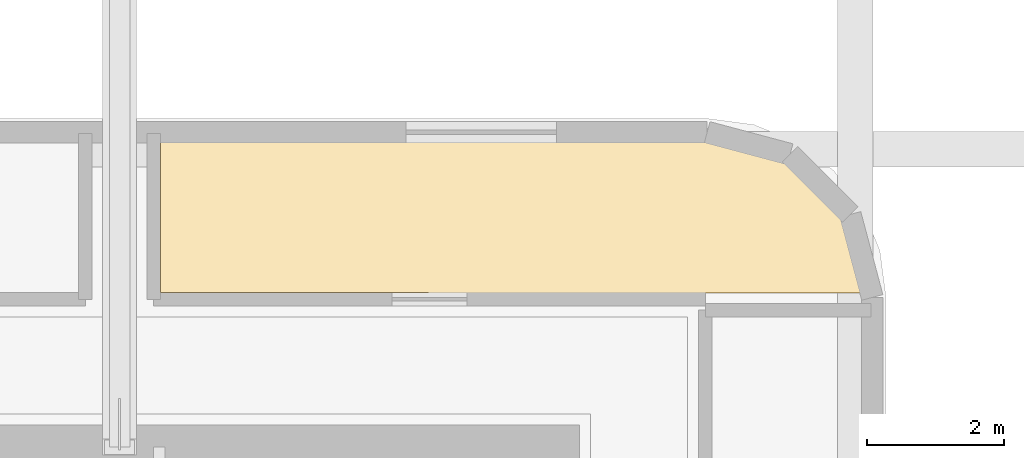
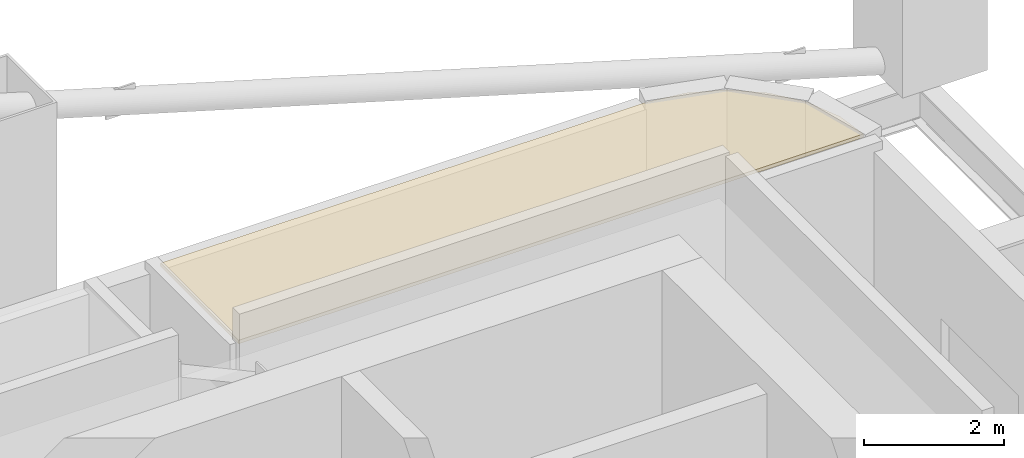
# One storey, part 9 of 9: 1 covering.
"""IFC4 building model written with IfcOpenShell, lengths in metres."""

import ifcopenshell
import ifcopenshell.guid

model = None  # the IFC model being written
_history = None  # IfcOwnerHistory: only IFC2X3 demands one
_inside = {}  # id of a spatial element -> (the spatial element, [elements in it])
_under = {}  # id of a project, library or spatial element -> (it, [spatial elements below it])
_declared = {}  # id of a project -> (the project, [libraries it declares])
_typed = {}  # id of a type object -> (the type object, [elements of that type])
_made_of = {}  # id of a material, layer set ... -> (it, [elements and type objects made of it])


def new_model(schema):
    """Start an empty IFC model of exactly this schema.

    Asked for "IFC4X3", IfcOpenShell would pick the latest addendum, in which some entities
    have other attributes; the version numbers below select the first issue.
    IFC2X3 requires an IfcOwnerHistory on every rooted entity: one is made here for all.
    """
    global model, _history
    if schema == "IFC4X3":
        model = ifcopenshell.file(schema_version=(4, 3, 0, 0))
    else:
        model = ifcopenshell.file(schema=schema)
    _inside.clear()
    _under.clear()
    _declared.clear()
    _typed.clear()
    _made_of.clear()
    _history = None
    if model.schema == "IFC2X3":
        org = make("IfcOrganization", Name="unknown")
        user = make(
            "IfcPersonAndOrganization",
            ThePerson=make("IfcPerson", FamilyName="unknown"),
            TheOrganization=org,
        )
        app = make(
            "IfcApplication",
            ApplicationDeveloper=org,
            Version="unknown",
            ApplicationFullName="unknown",
            ApplicationIdentifier="unknown",
        )
        _history = make(
            "IfcOwnerHistory",
            OwningUser=user,
            OwningApplication=app,
            ChangeAction="ADDED",
            CreationDate=0,
        )
    return model


def make(cls, **values):
    """One entity of the class cls with the attributes given. An attribute that is None is left unset."""
    return model.create_entity(
        cls, **{name: value for name, value in values.items() if value is not None}
    )


def rooted(cls, **values):
    """An entity with a GlobalId (a new one), such as an element, a storey or a relation."""
    return make(cls, GlobalId=ifcopenshell.guid.new(), OwnerHistory=_history, **values)


def si_unit(unit_type, name, prefix=None):
    """IfcSIUnit, for example si_unit("LENGTHUNIT", "METRE", prefix="MILLI")."""
    return make("IfcSIUnit", UnitType=unit_type, Prefix=prefix, Name=name)


def assignment(units):
    """IfcUnitAssignment: the units of a project."""
    return None if units is None else make("IfcUnitAssignment", Units=units)


def point(xyz):
    """IfcCartesianPoint."""
    return None if xyz is None else make("IfcCartesianPoint", Coordinates=xyz)


def direction(xyz):
    """IfcDirection."""
    return None if xyz is None else make("IfcDirection", DirectionRatios=xyz)


def frame(location, z_axis=None, x_axis=None):
    """IfcAxis2Placement3D, a coordinate frame: its origin and axes. An axis left out is left unset."""
    return make(
        "IfcAxis2Placement3D",
        Location=point(location),
        Axis=direction(z_axis),
        RefDirection=direction(x_axis),
    )


def origin():
    """The frame at (0, 0, 0) with its axes left unset."""
    return frame((0.0, 0.0, 0.0))


def place(relative_to, where):
    """IfcLocalPlacement: puts the frame where relative to a parent placement (None: the world)."""
    return make(
        "IfcLocalPlacement", PlacementRelTo=relative_to, RelativePlacement=where
    )


def context(
    kind, dimensions, precision=None, world=None, true_north=None, identifier=None
):
    """IfcGeometricRepresentationContext, for example the 3D "Model" context."""
    return make(
        "IfcGeometricRepresentationContext",
        ContextIdentifier=identifier,
        ContextType=kind,
        CoordinateSpaceDimension=dimensions,
        Precision=precision,
        WorldCoordinateSystem=world,
        TrueNorth=true_north,
    )


def subcontext(parent, identifier, kind, view, scale=None):
    """IfcGeometricRepresentationSubContext, for example "Body" below "Model"."""
    return make(
        "IfcGeometricRepresentationSubContext",
        ContextIdentifier=identifier,
        ContextType=kind,
        ParentContext=parent,
        TargetScale=scale,
        TargetView=view,
    )


def project(units=None, contexts=None):
    """IfcProject with its units and contexts."""
    return rooted(
        "IfcProject",
        Name="project",
        RepresentationContexts=contexts,
        UnitsInContext=assignment(units),
    )


def spatial(cls, under=None, at=None, **own):
    """A site, building, storey or space (cls), placed at a placement, below another one or the project."""
    s = rooted(cls, ObjectPlacement=at, **own)
    if under is not None:
        _under.setdefault(under.id(), (under, []))[1].append(s)
    return s


def polyline(points):
    """IfcPolyline through the points."""
    return make("IfcPolyline", Points=[point(p) for p in points])


def outline(outer, holes=None, kind="AREA"):
    """IfcArbitraryClosedProfileDef: a profile drawn as a closed curve; with holes, ...WithVoids."""
    if holes is None:
        return make("IfcArbitraryClosedProfileDef", ProfileType=kind, OuterCurve=outer)
    return make(
        "IfcArbitraryProfileDefWithVoids",
        ProfileType=kind,
        OuterCurve=outer,
        InnerCurves=holes,
    )


def extrude(swept, where, along, depth):
    """IfcExtrudedAreaSolid: the profile swept, set in the frame where, extruded along a direction by depth."""
    return make(
        "IfcExtrudedAreaSolid",
        SweptArea=swept,
        Position=where,
        ExtrudedDirection=direction(along),
        Depth=depth,
    )


def shape(context_of_items, identifier, shape_type, items):
    """IfcShapeRepresentation: the items that make up one representation, for example the "Body"."""
    return make(
        "IfcShapeRepresentation",
        ContextOfItems=context_of_items,
        RepresentationIdentifier=identifier,
        RepresentationType=shape_type,
        Items=items,
    )


def material(Name=None, Category=None):
    """IfcMaterial."""
    return make("IfcMaterial", Name=Name, Category=Category)


def layer(
    of_material, thickness, ventilated=None, Name=None, Category=None, Priority=None
):
    """IfcMaterialLayer: one layer of a wall or slab, of a material (None: an air gap)."""
    return make(
        "IfcMaterialLayer",
        Material=of_material,
        LayerThickness=thickness,
        IsVentilated=ventilated,
        Name=Name,
        Category=Category,
        Priority=Priority,
    )


def layer_set(layers, Name=None):
    """IfcMaterialLayerSet."""
    return make("IfcMaterialLayerSet", MaterialLayers=layers, LayerSetName=Name)


def made_of(thing, what):
    """Note that an element or type object is made of a material, layer set ...; save() writes the relation."""
    if what is not None:
        _made_of.setdefault(what.id(), (what, []))[1].append(thing)
    return thing


def type_object(cls, material=None, **own):
    """A type object (cls), such as IfcWallType, which elements share."""
    return made_of(rooted(cls, **own), material)


def element(
    cls,
    number,
    at=None,
    inside=None,
    cuts=None,
    type_object=None,
    material=None,
    context=None,
    identifier="Body",
    shape_type=None,
    held_by="IfcProductDefinitionShape",
    body=None,
    shapes=None,
    **own,
):
    """One element of the class cls, such as IfcWall. Its Tag is "e" and its number.

    at: its placement. inside: the storey or other place that contains it. cuts: it is an
    opening in that element (IfcRelVoidsElement). A single representation is given by context,
    identifier, shape_type and body (its items); several are given by shapes. held_by: the class
    of the entity that holds the representations. save() writes the other relations.
    """
    e = rooted(cls, Tag="e%d" % number, ObjectPlacement=at, **own)
    if body is not None:
        shapes = [shape(context, identifier, shape_type, body)]
    if shapes is not None:
        e.Representation = make(held_by, Representations=shapes)
    if inside is not None:
        _inside.setdefault(inside.id(), (inside, []))[1].append(e)
    if cuts is not None:
        rooted(
            "IfcRelVoidsElement", RelatingBuildingElement=cuts, RelatedOpeningElement=e
        )
    if type_object is not None:
        _typed.setdefault(type_object.id(), (type_object, []))[1].append(e)
    return made_of(e, material)


def aggregate(whole, parts):
    """IfcRelAggregates: a whole, such as a stair, and the parts it consists of."""
    return rooted("IfcRelAggregates", RelatingObject=whole, RelatedObjects=parts)


def save(model, path):
    """Write the relations noted so far, then the file.

    IfcRelAggregates (storeys below a building ...), IfcRelContainedInSpatialStructure (elements
    in a storey), IfcRelDefinesByType, IfcRelAssociatesMaterial and IfcRelDeclares: one each for
    every whole, place, type object, material and project.
    """
    for whole, parts in _under.values():
        aggregate(whole, parts)
    for where, things in _inside.values():
        rooted(
            "IfcRelContainedInSpatialStructure",
            RelatedElements=things,
            RelatingStructure=where,
        )
    for kind, things in _typed.values():
        rooted("IfcRelDefinesByType", RelatedObjects=things, RelatingType=kind)
    for what, things in _made_of.values():
        rooted("IfcRelAssociatesMaterial", RelatedObjects=things, RelatingMaterial=what)
    for by, libraries in _declared.values():
        rooted("IfcRelDeclares", RelatingContext=by, RelatedDefinitions=libraries)
    model.write(path)


model = new_model("IFC4")

# Units and contexts
model_context = context("Model", 3, precision=1e-05, world=origin(), true_north=direction((0.0, 1.0)))
body_context = subcontext(model_context, "Body", "Model", "MODEL_VIEW")
ifc_project = project(units=[si_unit("LENGTHUNIT", "METRE"), si_unit("AREAUNIT", "SQUARE_METRE"), si_unit("VOLUMEUNIT", "CUBIC_METRE"), si_unit("PLANEANGLEUNIT", "RADIAN"), si_unit("MASSUNIT", "GRAM", prefix="KILO")], contexts=[model_context])

# Site, building, storey
site_placement = place(None, origin())
site = spatial("IfcSite", under=ifc_project, at=site_placement, CompositionType="ELEMENT")
building_placement = place(site_placement, origin())
building = spatial("IfcBuilding", under=site, at=building_placement, Name="Punatoya Terracotta Tower", CompositionType="ELEMENT")
storey_placement = place(building_placement, frame((0.0, 0.0, 130.199951171875)))
storey = spatial("IfcBuildingStorey", under=building, at=storey_placement, Name="L30", CompositionType="ELEMENT", Elevation=130.199951171875)

# Covering
ifc_material = material(Name="Acoustic Mineral Fibre Ceiling")
ifc_layer = layer(ifc_material, 0.06005859375)
ifc_layer_set = layer_set([ifc_layer], Name="Acoustic Mineral Fibre Ceiling")
covering_type = type_object("IfcCoveringType", Name="COV-CEIL-60", PredefinedType="CEILING", material=ifc_layer_set)
covering_placement = place(storey_placement, frame((0.0, 0.0, 3.8701171875)))
element("IfcCovering", 1, at=covering_placement, inside=storey, type_object=covering_type, Name="L30 Designated Pressurized Refuge Area North (East Bay) Acoustic Ceiling", PredefinedType="CEILING", context=body_context, shape_type="SweptSolid", body=[
    extrude(outline(polyline([(12.4599609375, 11.449951171875), (14.670654296875, 11.449951171875), (14.599609375, 11.989501953125), (14.372314453125, 12.53857421875), (14.01025390625, 13.01025390625), (13.53857421875, 13.372314453125), (12.989501953125, 13.599609375), (12.37890625, 13.679931640625), (4.39990234375, 13.679931640625), (4.39990234375, 11.4599609375), (12.4599609375, 11.449951171875)])), origin(), (0.0, 0.0, 1.0), 0.059814453125),
])

save(model, "model.ifc")
